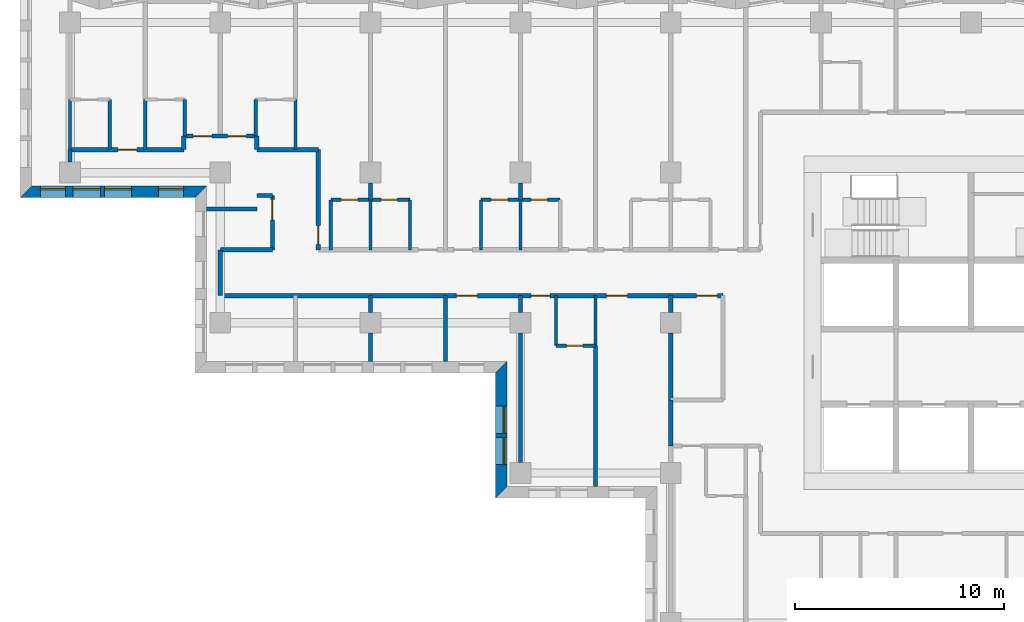
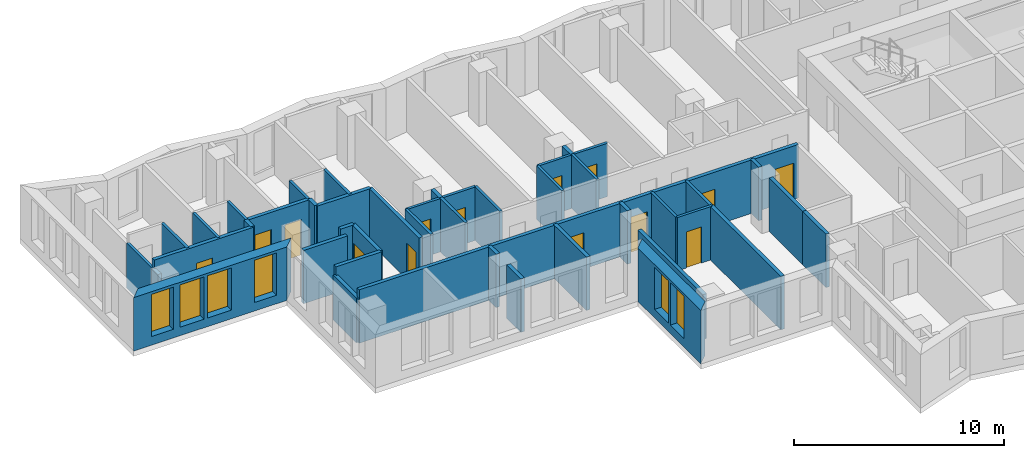
# One storey, part 4 of 13: 42 walls, 14 doors, 6 windows, 20 openings.
"""IFC4 building model written with IfcOpenShell, lengths in metres."""

import ifcopenshell
import ifcopenshell.guid

model = None  # the IFC model being written
_history = None  # IfcOwnerHistory: only IFC2X3 demands one
_inside = {}  # id of a spatial element -> (the spatial element, [elements in it])
_under = {}  # id of a project, library or spatial element -> (it, [spatial elements below it])
_declared = {}  # id of a project -> (the project, [libraries it declares])
_typed = {}  # id of a type object -> (the type object, [elements of that type])
_made_of = {}  # id of a material, layer set ... -> (it, [elements and type objects made of it])


def new_model(schema):
    """Start an empty IFC model of exactly this schema.

    Asked for "IFC4X3", IfcOpenShell would pick the latest addendum, in which some entities
    have other attributes; the version numbers below select the first issue.
    IFC2X3 requires an IfcOwnerHistory on every rooted entity: one is made here for all.
    """
    global model, _history
    if schema == "IFC4X3":
        model = ifcopenshell.file(schema_version=(4, 3, 0, 0))
    else:
        model = ifcopenshell.file(schema=schema)
    _inside.clear()
    _under.clear()
    _declared.clear()
    _typed.clear()
    _made_of.clear()
    _history = None
    if model.schema == "IFC2X3":
        org = make("IfcOrganization", Name="unknown")
        user = make(
            "IfcPersonAndOrganization",
            ThePerson=make("IfcPerson", FamilyName="unknown"),
            TheOrganization=org,
        )
        app = make(
            "IfcApplication",
            ApplicationDeveloper=org,
            Version="unknown",
            ApplicationFullName="unknown",
            ApplicationIdentifier="unknown",
        )
        _history = make(
            "IfcOwnerHistory",
            OwningUser=user,
            OwningApplication=app,
            ChangeAction="ADDED",
            CreationDate=0,
        )
    return model


def make(cls, **values):
    """One entity of the class cls with the attributes given. An attribute that is None is left unset."""
    return model.create_entity(
        cls, **{name: value for name, value in values.items() if value is not None}
    )


def rooted(cls, **values):
    """An entity with a GlobalId (a new one), such as an element, a storey or a relation."""
    return make(cls, GlobalId=ifcopenshell.guid.new(), OwnerHistory=_history, **values)


def si_unit(unit_type, name, prefix=None):
    """IfcSIUnit, for example si_unit("LENGTHUNIT", "METRE", prefix="MILLI")."""
    return make("IfcSIUnit", UnitType=unit_type, Prefix=prefix, Name=name)


def assignment(units):
    """IfcUnitAssignment: the units of a project."""
    return None if units is None else make("IfcUnitAssignment", Units=units)


def point(xyz):
    """IfcCartesianPoint."""
    return None if xyz is None else make("IfcCartesianPoint", Coordinates=xyz)


def direction(xyz):
    """IfcDirection."""
    return None if xyz is None else make("IfcDirection", DirectionRatios=xyz)


def frame(location, z_axis=None, x_axis=None):
    """IfcAxis2Placement3D, a coordinate frame: its origin and axes. An axis left out is left unset."""
    return make(
        "IfcAxis2Placement3D",
        Location=point(location),
        Axis=direction(z_axis),
        RefDirection=direction(x_axis),
    )


def frame_2d(location, x_axis=None):
    """IfcAxis2Placement2D, a coordinate frame in the plane: its origin and x axis."""
    return make(
        "IfcAxis2Placement2D", Location=point(location), RefDirection=direction(x_axis)
    )


def origin():
    """The frame at (0, 0, 0) with its axes left unset."""
    return frame((0.0, 0.0, 0.0))


def place(relative_to, where):
    """IfcLocalPlacement: puts the frame where relative to a parent placement (None: the world)."""
    return make(
        "IfcLocalPlacement", PlacementRelTo=relative_to, RelativePlacement=where
    )


def context(
    kind, dimensions, precision=None, world=None, true_north=None, identifier=None
):
    """IfcGeometricRepresentationContext, for example the 3D "Model" context."""
    return make(
        "IfcGeometricRepresentationContext",
        ContextIdentifier=identifier,
        ContextType=kind,
        CoordinateSpaceDimension=dimensions,
        Precision=precision,
        WorldCoordinateSystem=world,
        TrueNorth=true_north,
    )


def subcontext(parent, identifier, kind, view, scale=None):
    """IfcGeometricRepresentationSubContext, for example "Body" below "Model"."""
    return make(
        "IfcGeometricRepresentationSubContext",
        ContextIdentifier=identifier,
        ContextType=kind,
        ParentContext=parent,
        TargetScale=scale,
        TargetView=view,
    )


def project(units=None, contexts=None):
    """IfcProject with its units and contexts."""
    return rooted(
        "IfcProject",
        Name="project",
        RepresentationContexts=contexts,
        UnitsInContext=assignment(units),
    )


def spatial(cls, under=None, at=None, **own):
    """A site, building, storey or space (cls), placed at a placement, below another one or the project."""
    s = rooted(cls, ObjectPlacement=at, **own)
    if under is not None:
        _under.setdefault(under.id(), (under, []))[1].append(s)
    return s


def polyline(points):
    """IfcPolyline through the points."""
    return make("IfcPolyline", Points=[point(p) for p in points])


def profile(cls, at=None, kind="AREA", **sizes):
    """A parametric profile (cls). Its sizes go by their IFC names, for example OverallWidth=200.0."""
    return make(cls, ProfileType=kind, Position=at, **sizes)


def rectangle(**sizes):
    """IfcRectangleProfileDef."""
    return profile("IfcRectangleProfileDef", **sizes)


def outline(outer, holes=None, kind="AREA"):
    """IfcArbitraryClosedProfileDef: a profile drawn as a closed curve; with holes, ...WithVoids."""
    if holes is None:
        return make("IfcArbitraryClosedProfileDef", ProfileType=kind, OuterCurve=outer)
    return make(
        "IfcArbitraryProfileDefWithVoids",
        ProfileType=kind,
        OuterCurve=outer,
        InnerCurves=holes,
    )


def extrude(swept, where, along, depth):
    """IfcExtrudedAreaSolid: the profile swept, set in the frame where, extruded along a direction by depth."""
    return make(
        "IfcExtrudedAreaSolid",
        SweptArea=swept,
        Position=where,
        ExtrudedDirection=direction(along),
        Depth=depth,
    )


def shape(context_of_items, identifier, shape_type, items):
    """IfcShapeRepresentation: the items that make up one representation, for example the "Body"."""
    return make(
        "IfcShapeRepresentation",
        ContextOfItems=context_of_items,
        RepresentationIdentifier=identifier,
        RepresentationType=shape_type,
        Items=items,
    )


def material(Name=None, Category=None):
    """IfcMaterial."""
    return make("IfcMaterial", Name=Name, Category=Category)


def layer(
    of_material, thickness, ventilated=None, Name=None, Category=None, Priority=None
):
    """IfcMaterialLayer: one layer of a wall or slab, of a material (None: an air gap)."""
    return make(
        "IfcMaterialLayer",
        Material=of_material,
        LayerThickness=thickness,
        IsVentilated=ventilated,
        Name=Name,
        Category=Category,
        Priority=Priority,
    )


def layer_set(layers, Name=None):
    """IfcMaterialLayerSet."""
    return make("IfcMaterialLayerSet", MaterialLayers=layers, LayerSetName=Name)


def made_of(thing, what):
    """Note that an element or type object is made of a material, layer set ...; save() writes the relation."""
    if what is not None:
        _made_of.setdefault(what.id(), (what, []))[1].append(thing)
    return thing


def type_object(cls, material=None, **own):
    """A type object (cls), such as IfcWallType, which elements share."""
    return made_of(rooted(cls, **own), material)


def element(
    cls,
    number,
    at=None,
    inside=None,
    cuts=None,
    type_object=None,
    material=None,
    context=None,
    identifier="Body",
    shape_type=None,
    held_by="IfcProductDefinitionShape",
    body=None,
    shapes=None,
    **own,
):
    """One element of the class cls, such as IfcWall. Its Tag is "e" and its number.

    at: its placement. inside: the storey or other place that contains it. cuts: it is an
    opening in that element (IfcRelVoidsElement). A single representation is given by context,
    identifier, shape_type and body (its items); several are given by shapes. held_by: the class
    of the entity that holds the representations. save() writes the other relations.
    """
    e = rooted(cls, Tag="e%d" % number, ObjectPlacement=at, **own)
    if body is not None:
        shapes = [shape(context, identifier, shape_type, body)]
    if shapes is not None:
        e.Representation = make(held_by, Representations=shapes)
    if inside is not None:
        _inside.setdefault(inside.id(), (inside, []))[1].append(e)
    if cuts is not None:
        rooted(
            "IfcRelVoidsElement", RelatingBuildingElement=cuts, RelatedOpeningElement=e
        )
    if type_object is not None:
        _typed.setdefault(type_object.id(), (type_object, []))[1].append(e)
    return made_of(e, material)


def fill(opening, filler):
    """IfcRelFillsElement: the door or window that sits in an opening."""
    return rooted(
        "IfcRelFillsElement",
        RelatingOpeningElement=opening,
        RelatedBuildingElement=filler,
    )


def aggregate(whole, parts):
    """IfcRelAggregates: a whole, such as a stair, and the parts it consists of."""
    return rooted("IfcRelAggregates", RelatingObject=whole, RelatedObjects=parts)


def save(model, path):
    """Write the relations noted so far, then the file.

    IfcRelAggregates (storeys below a building ...), IfcRelContainedInSpatialStructure (elements
    in a storey), IfcRelDefinesByType, IfcRelAssociatesMaterial and IfcRelDeclares: one each for
    every whole, place, type object, material and project.
    """
    for whole, parts in _under.values():
        aggregate(whole, parts)
    for where, things in _inside.values():
        rooted(
            "IfcRelContainedInSpatialStructure",
            RelatedElements=things,
            RelatingStructure=where,
        )
    for kind, things in _typed.values():
        rooted("IfcRelDefinesByType", RelatedObjects=things, RelatingType=kind)
    for what, things in _made_of.values():
        rooted("IfcRelAssociatesMaterial", RelatedObjects=things, RelatingMaterial=what)
    for by, libraries in _declared.values():
        rooted("IfcRelDeclares", RelatingContext=by, RelatedDefinitions=libraries)
    model.write(path)


model = new_model("IFC4")

# Units and contexts
model_context = context("Model", 3, precision=1e-05, world=origin(), true_north=direction((0.0, 1.0)))
body_context = subcontext(model_context, "Body", "Model", "MODEL_VIEW")
ifc_project = project(units=[si_unit("LENGTHUNIT", "METRE"), si_unit("AREAUNIT", "SQUARE_METRE"), si_unit("VOLUMEUNIT", "CUBIC_METRE"), si_unit("PLANEANGLEUNIT", "RADIAN"), si_unit("MASSUNIT", "GRAM", prefix="KILO")], contexts=[model_context])

# Site, building, storey
site_placement = place(None, origin())
site = spatial("IfcSite", under=ifc_project, at=site_placement, CompositionType="ELEMENT")
building_placement = place(site_placement, origin())
building = spatial("IfcBuilding", under=site, at=building_placement, Name="Windrow Commons", CompositionType="ELEMENT")
storey_placement = place(building_placement, frame((0.0, 0.0, 115.2)))
storey = spatial("IfcBuildingStorey", under=building, at=storey_placement, Name="L31", CompositionType="ELEMENT", Elevation=115.2)

# Wall, openings, windows
ifc_material_1 = material(Name="Brick masonry, red clay brick", Category="masonry")
ifc_layer_1 = layer(ifc_material_1, 0.55)
ifc_layer_set_1 = layer_set([ifc_layer_1], Name="Brick facade wall 550")
wall_type_1 = type_object("IfcWallType", Name="Brick facade wall 550", PredefinedType="SOLIDWALL", material=ifc_layer_set_1)
wall_1_placement = place(storey_placement, frame((19.472, 63.875, 0.0), z_axis=(0.0, 0.0, 1.0), x_axis=(1.0, 0.0, 0.0)))
wall_1 = element("IfcWall", 1, at=wall_1_placement, inside=storey, type_object=wall_type_1, Name="Brick facade wall L31 38", PredefinedType="SOLIDWALL", context=body_context, shape_type="SweptSolid", body=[
    extrude(outline(polyline([(-0.275, -0.275), (8.128, -0.275), (8.678, 0.275), (0.275, 0.275), (-0.275, -0.275)])), origin(), (0.0, 0.0, 1.0), 3.1),
])
opening_1_placement = place(wall_1_placement, frame((2.278, 0.0, 0.5)))
opening_1 = element("IfcOpeningElement", 2, at=opening_1_placement, cuts=wall_1, Name="Opening W1P", PredefinedType="OPENING", context=body_context, shape_type="SweptSolid", body=[
    extrude(rectangle(XDim=1.3, YDim=2.45, at=frame_2d((0.65, 1.225))), frame((0.0, 0.285, 0.0), z_axis=(0.0, -1.0, 0.0), x_axis=(1.0, 0.0, 0.0)), (0.0, 0.0, 1.0), 0.57),
])
opening_2_placement = place(wall_1_placement, frame((3.778, 0.0, 0.5)))
opening_2 = element("IfcOpeningElement", 3, at=opening_2_placement, cuts=wall_1, Name="Opening W1P", PredefinedType="OPENING", context=body_context, shape_type="SweptSolid", body=[
    extrude(rectangle(XDim=1.3, YDim=2.45, at=frame_2d((0.65, 1.225))), frame((0.0, 0.285, 0.0), z_axis=(0.0, -1.0, 0.0), x_axis=(1.0, 0.0, 0.0)), (0.0, 0.0, 1.0), 0.57),
])
opening_3_placement = place(wall_1_placement, frame((0.7015, 0.0, 0.5)))
opening_3 = element("IfcOpeningElement", 4, at=opening_3_placement, cuts=wall_1, Name="Opening W7D", PredefinedType="OPENING", context=body_context, shape_type="SweptSolid", body=[
    extrude(rectangle(XDim=1.2, YDim=2.45, at=frame_2d((0.6, 1.225))), frame((0.0, 0.285, 0.0), z_axis=(0.0, -1.0, 0.0), x_axis=(1.0, 0.0, 0.0)), (0.0, 0.0, 1.0), 0.57),
])
opening_4_placement = place(wall_1_placement, frame((6.3655, 0.0, 0.5)))
opening_4 = element("IfcOpeningElement", 5, at=opening_4_placement, cuts=wall_1, Name="Opening W7D", PredefinedType="OPENING", context=body_context, shape_type="SweptSolid", body=[
    extrude(rectangle(XDim=1.2, YDim=2.45, at=frame_2d((0.6, 1.225))), frame((0.0, 0.285, 0.0), z_axis=(0.0, -1.0, 0.0), x_axis=(1.0, 0.0, 0.0)), (0.0, 0.0, 1.0), 0.57),
])
ifc_material_2 = material(Name="Clear float glass in anodised aluminium frame", Category="aluminium")
window_type_1 = type_object("IfcWindowType", Name="Window W1P pair 1300x2450", PartitioningType="SINGLE_PANEL", PredefinedType="WINDOW", material=ifc_material_2)
window_1_placement = place(opening_1_placement, origin())
window_1 = element("IfcWindow", 6, at=window_1_placement, inside=storey, type_object=window_type_1, Name="Window L31 38.1A", OverallHeight=2.45, OverallWidth=1.3, PartitioningType="SINGLE_PANEL", PredefinedType="WINDOW", context=body_context, shape_type="SweptSolid", body=[
    extrude(rectangle(XDim=1.3, YDim=2.45, at=frame_2d((0.65, 1.225))), frame((0.0, 0.155, 0.0), z_axis=(0.0, -1.0, 0.0), x_axis=(1.0, 0.0, 0.0)), (0.0, 0.0, 1.0), 0.06),
])
fill(opening_1, window_1)
window_2_placement = place(opening_2_placement, origin())
window_2 = element("IfcWindow", 7, at=window_2_placement, inside=storey, type_object=window_type_1, Name="Window L31 38.1B", OverallHeight=2.45, OverallWidth=1.3, PartitioningType="SINGLE_PANEL", PredefinedType="WINDOW", context=body_context, shape_type="SweptSolid", body=[
    extrude(rectangle(XDim=1.3, YDim=2.45, at=frame_2d((0.65, 1.225))), frame((0.0, 0.155, 0.0), z_axis=(0.0, -1.0, 0.0), x_axis=(1.0, 0.0, 0.0)), (0.0, 0.0, 1.0), 0.06),
])
fill(opening_2, window_2)
ifc_material_3 = material(Name="Clear float glass in anodised aluminium frame", Category="aluminium")
window_type_2 = type_object("IfcWindowType", Name="Window W7 notch 1200x2450", PartitioningType="SINGLE_PANEL", PredefinedType="WINDOW", material=ifc_material_3)
window_3_placement = place(opening_3_placement, origin())
window_3 = element("IfcWindow", 8, at=window_3_placement, inside=storey, type_object=window_type_2, Name="Window L31 38.2", OverallHeight=2.45, OverallWidth=1.2, PartitioningType="SINGLE_PANEL", PredefinedType="WINDOW", context=body_context, shape_type="SweptSolid", body=[
    extrude(rectangle(XDim=1.2, YDim=2.45, at=frame_2d((0.6, 1.225))), frame((0.0, 0.155, 0.0), z_axis=(0.0, -1.0, 0.0), x_axis=(1.0, 0.0, 0.0)), (0.0, 0.0, 1.0), 0.06),
])
fill(opening_3, window_3)
window_4_placement = place(opening_4_placement, origin())
window_4 = element("IfcWindow", 9, at=window_4_placement, inside=storey, type_object=window_type_2, Name="Window L31 38.3", OverallHeight=2.45, OverallWidth=1.2, PartitioningType="SINGLE_PANEL", PredefinedType="WINDOW", context=body_context, shape_type="SweptSolid", body=[
    extrude(rectangle(XDim=1.2, YDim=2.45, at=frame_2d((0.6, 1.225))), frame((0.0, 0.155, 0.0), z_axis=(0.0, -1.0, 0.0), x_axis=(1.0, 0.0, 0.0)), (0.0, 0.0, 1.0), 0.06),
])
fill(opening_4, window_4)

wall_2_placement = place(storey_placement, frame((42.275, 55.472, 0.0), z_axis=(0.0, 0.0, 1.0), x_axis=(0.0, -1.0, 0.0)))
wall_2 = element("IfcWall", 10, at=wall_2_placement, inside=storey, type_object=wall_type_1, Name="Brick facade wall L31 41", PredefinedType="SOLIDWALL", context=body_context, shape_type="SweptSolid", body=[
    extrude(outline(polyline([(0.275, -0.275), (6.272, -0.275), (5.722, 0.275), (-0.275, 0.275), (0.275, -0.275)])), origin(), (0.0, 0.0, 1.0), 3.1),
])
opening_5_placement = place(wall_2_placement, frame((1.872, 0.0, 0.5)))
opening_5 = element("IfcOpeningElement", 11, at=opening_5_placement, cuts=wall_2, Name="Opening W1P", PredefinedType="OPENING", context=body_context, shape_type="SweptSolid", body=[
    extrude(rectangle(XDim=1.3, YDim=2.45, at=frame_2d((0.65, 1.225))), frame((0.0, 0.285, 0.0), z_axis=(0.0, -1.0, 0.0), x_axis=(1.0, 0.0, 0.0)), (0.0, 0.0, 1.0), 0.57),
])
opening_6_placement = place(wall_2_placement, frame((3.372, 0.0, 0.5)))
opening_6 = element("IfcOpeningElement", 12, at=opening_6_placement, cuts=wall_2, Name="Opening W1P", PredefinedType="OPENING", context=body_context, shape_type="SweptSolid", body=[
    extrude(rectangle(XDim=1.3, YDim=2.45, at=frame_2d((0.65, 1.225))), frame((0.0, 0.285, 0.0), z_axis=(0.0, -1.0, 0.0), x_axis=(1.0, 0.0, 0.0)), (0.0, 0.0, 1.0), 0.57),
])
window_5_placement = place(opening_5_placement, origin())
window_5 = element("IfcWindow", 13, at=window_5_placement, inside=storey, type_object=window_type_1, Name="Window L31 41.1A", OverallHeight=2.45, OverallWidth=1.3, PartitioningType="SINGLE_PANEL", PredefinedType="WINDOW", context=body_context, shape_type="SweptSolid", body=[
    extrude(rectangle(XDim=1.3, YDim=2.45, at=frame_2d((0.65, 1.225))), frame((0.0, 0.155, 0.0), z_axis=(0.0, -1.0, 0.0), x_axis=(1.0, 0.0, 0.0)), (0.0, 0.0, 1.0), 0.06),
])
fill(opening_5, window_5)
window_6_placement = place(opening_6_placement, origin())
window_6 = element("IfcWindow", 14, at=window_6_placement, inside=storey, type_object=window_type_1, Name="Window L31 41.1B", OverallHeight=2.45, OverallWidth=1.3, PartitioningType="SINGLE_PANEL", PredefinedType="WINDOW", context=body_context, shape_type="SweptSolid", body=[
    extrude(rectangle(XDim=1.3, YDim=2.45, at=frame_2d((0.65, 1.225))), frame((0.0, 0.155, 0.0), z_axis=(0.0, -1.0, 0.0), x_axis=(1.0, 0.0, 0.0)), (0.0, 0.0, 1.0), 0.06),
])
fill(opening_6, window_6)

# Wall, openings, doors
ifc_material_4 = material(Name="Blockwork partition", Category="masonry")
ifc_layer_2 = layer(ifc_material_4, 0.2)
ifc_layer_set_2 = layer_set([ifc_layer_2], Name="IW-CORRIDOR-200")
wall_type_2 = type_object("IfcWallType", Name="IW-CORRIDOR-200", PredefinedType="PARTITIONING", material=ifc_layer_set_2)
wall_3_placement = place(storey_placement, frame((28.802, 58.9, 0.0), z_axis=(0.0, 0.0, 1.0), x_axis=(1.0, 0.0, 0.0)))
wall_3 = element("IfcWall", 15, at=wall_3_placement, inside=storey, type_object=wall_type_2, Name="W-L31-W000", PredefinedType="PARTITIONING", context=body_context, shape_type="SweptSolid", body=[
    extrude(rectangle(XDim=24.098, YDim=0.2, at=frame_2d((12.049, 0.0))), origin(), (0.0, 0.0, 1.0), 3.1),
])
opening_7_placement = place(wall_3_placement, frame((11.323, 0.0, 0.0)))
opening_7 = element("IfcOpeningElement", 16, at=opening_7_placement, cuts=wall_3, Name="Opening D310F", PredefinedType="OPENING", context=body_context, shape_type="SweptSolid", body=[
    extrude(rectangle(XDim=1.0, YDim=2.1, at=frame_2d((0.5, 1.05))), frame((0.0, 0.11, 0.0), z_axis=(0.0, -1.0, 0.0), x_axis=(1.0, 0.0, 0.0)), (0.0, 0.0, 1.0), 0.22),
])
opening_8_placement = place(wall_3_placement, frame((14.908, 0.0, 0.0)))
opening_8 = element("IfcOpeningElement", 17, at=opening_8_placement, cuts=wall_3, Name="Opening D109S", PredefinedType="OPENING", context=body_context, shape_type="SweptSolid", body=[
    extrude(rectangle(XDim=0.9, YDim=2.1, at=frame_2d((0.45, 1.05))), frame((0.0, 0.11, 0.0), z_axis=(0.0, -1.0, 0.0), x_axis=(1.0, 0.0, 0.0)), (0.0, 0.0, 1.0), 0.22),
])
opening_9_placement = place(wall_3_placement, frame((18.523, 0.0, 0.0)))
opening_9 = element("IfcOpeningElement", 18, at=opening_9_placement, cuts=wall_3, Name="Opening D310F", PredefinedType="OPENING", context=body_context, shape_type="SweptSolid", body=[
    extrude(rectangle(XDim=1.0, YDim=2.1, at=frame_2d((0.5, 1.05))), frame((0.0, 0.11, 0.0), z_axis=(0.0, -1.0, 0.0), x_axis=(1.0, 0.0, 0.0)), (0.0, 0.0, 1.0), 0.22),
])
opening_10_placement = place(wall_3_placement, frame((22.8451, 0.0, 0.0)))
opening_10 = element("IfcOpeningElement", 19, at=opening_10_placement, cuts=wall_3, Name="Opening D410F", PredefinedType="OPENING", context=body_context, shape_type="SweptSolid", body=[
    extrude(rectangle(XDim=1.0, YDim=2.1, at=frame_2d((0.5, 1.05))), frame((0.0, 0.11, 0.0), z_axis=(0.0, -1.0, 0.0), x_axis=(1.0, 0.0, 0.0)), (0.0, 0.0, 1.0), 0.22),
])
ifc_material_5 = material(Name="Timber door leaf", Category="wood")
door_type_1 = type_object("IfcDoorType", Name="DT-AMENITY-1000", OperationType="SINGLE_SWING_LEFT", PredefinedType="DOOR", material=ifc_material_5)
door_1_placement = place(opening_7_placement, origin())
door_1 = element("IfcDoor", 20, at=door_1_placement, inside=storey, type_object=door_type_1, Name="D-L31-D003", OperationType="SINGLE_SWING_RIGHT", OverallHeight=2.1, OverallWidth=1.0, PredefinedType="DOOR", context=body_context, shape_type="SweptSolid", body=[
    extrude(rectangle(XDim=1.0, YDim=2.1, at=frame_2d((0.5, 1.05))), frame((0.0, 0.025, 0.0), z_axis=(0.0, -1.0, 0.0), x_axis=(1.0, 0.0, 0.0)), (0.0, 0.0, 1.0), 0.05),
])
fill(opening_7, door_1)
door_2_placement = place(opening_9_placement, origin())
door_2 = element("IfcDoor", 21, at=door_2_placement, inside=storey, type_object=door_type_1, Name="D-L31-D006", OperationType="SINGLE_SWING_RIGHT", OverallHeight=2.1, OverallWidth=1.0, PredefinedType="DOOR", context=body_context, shape_type="SweptSolid", body=[
    extrude(rectangle(XDim=1.0, YDim=2.1, at=frame_2d((0.5, 1.05))), frame((0.0, 0.025, 0.0), z_axis=(0.0, -1.0, 0.0), x_axis=(1.0, 0.0, 0.0)), (0.0, 0.0, 1.0), 0.05),
])
fill(opening_9, door_2)
ifc_material_6 = material(Name="Timber door leaf", Category="wood")
door_type_2 = type_object("IfcDoorType", Name="DT-BEDROOM-900", OperationType="SINGLE_SWING_LEFT", PredefinedType="DOOR", material=ifc_material_6)
door_3_placement = place(opening_8_placement, origin())
door_3 = element("IfcDoor", 22, at=door_3_placement, inside=storey, type_object=door_type_2, Name="D-L31-D004", OperationType="SINGLE_SWING_LEFT", OverallHeight=2.1, OverallWidth=0.9, PredefinedType="DOOR", context=body_context, shape_type="SweptSolid", body=[
    extrude(rectangle(XDim=0.9, YDim=2.1, at=frame_2d((0.45, 1.05))), frame((0.0, 0.025, 0.0), z_axis=(0.0, -1.0, 0.0), x_axis=(1.0, 0.0, 0.0)), (0.0, 0.0, 1.0), 0.05),
])
fill(opening_8, door_3)
ifc_material_7 = material(Name="Timber door leaf", Category="wood")
door_type_3 = type_object("IfcDoorType", Name="DT-SERVICE-1000", OperationType="SINGLE_SWING_LEFT", PredefinedType="DOOR", material=ifc_material_7)
door_4_placement = place(opening_10_placement, origin())
door_4 = element("IfcDoor", 23, at=door_4_placement, inside=storey, type_object=door_type_3, Name="D-L31-D010", OperationType="SINGLE_SWING_LEFT", OverallHeight=2.1, OverallWidth=1.0, PredefinedType="DOOR", context=body_context, shape_type="SweptSolid", body=[
    extrude(rectangle(XDim=1.0, YDim=2.1, at=frame_2d((0.5, 1.05))), frame((0.0, 0.025, 0.0), z_axis=(0.0, -1.0, 0.0), x_axis=(1.0, 0.0, 0.0)), (0.0, 0.0, 1.0), 0.05),
])
fill(opening_10, door_4)

# Wall, opening, door
wall_4_placement = place(storey_placement, frame((21.6, 65.9, 0.0), z_axis=(0.0, 0.0, 1.0), x_axis=(1.0, 0.0, 0.0)))
wall_4 = element("IfcWall", 24, at=wall_4_placement, inside=storey, type_object=wall_type_2, Name="W-L31-W037", PredefinedType="PARTITIONING", context=body_context, shape_type="SweptSolid", body=[
    extrude(rectangle(XDim=5.45, YDim=0.2, at=frame_2d((2.725, 0.0))), origin(), (0.0, 0.0, 1.0), 3.1),
])
opening_11_placement = place(wall_4_placement, frame((2.3, 0.0, 0.0)))
opening_11 = element("IfcOpeningElement", 25, at=opening_11_placement, cuts=wall_4, Name="Opening D109S", PredefinedType="OPENING", context=body_context, shape_type="SweptSolid", body=[
    extrude(rectangle(XDim=0.9, YDim=2.1, at=frame_2d((0.45, 1.05))), frame((0.0, 0.11, 0.0), z_axis=(0.0, -1.0, 0.0), x_axis=(1.0, 0.0, 0.0)), (0.0, 0.0, 1.0), 0.22),
])
door_5_placement = place(opening_11_placement, origin())
door_5 = element("IfcDoor", 26, at=door_5_placement, inside=storey, type_object=door_type_2, Name="D-L31-D019", OperationType="SINGLE_SWING_RIGHT", OverallHeight=2.1, OverallWidth=0.9, PredefinedType="DOOR", context=body_context, shape_type="SweptSolid", body=[
    extrude(rectangle(XDim=0.9, YDim=2.1, at=frame_2d((0.45, 1.05))), frame((0.0, 0.025, 0.0), z_axis=(0.0, -1.0, 0.0), x_axis=(1.0, 0.0, 0.0)), (0.0, 0.0, 1.0), 0.05),
])
fill(opening_11, door_5)

wall_5_placement = place(storey_placement, frame((33.5, 61.102, 0.0), z_axis=(0.0, 0.0, 1.0), x_axis=(0.0, 1.0, 0.0)))
wall_5 = element("IfcWall", 27, at=wall_5_placement, inside=storey, type_object=wall_type_2, Name="W-L31-W045", PredefinedType="PARTITIONING", context=body_context, shape_type="SweptSolid", body=[
    extrude(rectangle(XDim=4.798, YDim=0.2, at=frame_2d((2.399, 0.0))), origin(), (0.0, 0.0, 1.0), 3.1),
])
opening_12_placement = place(wall_5_placement, frame((0.253, 0.0, 0.0)))
opening_12 = element("IfcOpeningElement", 28, at=opening_12_placement, cuts=wall_5, Name="Opening D109S", PredefinedType="OPENING", context=body_context, shape_type="SweptSolid", body=[
    extrude(rectangle(XDim=0.9, YDim=2.1, at=frame_2d((0.45, 1.05))), frame((0.0, 0.11, 0.0), z_axis=(0.0, -1.0, 0.0), x_axis=(1.0, 0.0, 0.0)), (0.0, 0.0, 1.0), 0.22),
])
door_6_placement = place(opening_12_placement, origin())
door_6 = element("IfcDoor", 29, at=door_6_placement, inside=storey, type_object=door_type_2, Name="D-L31-D025", OperationType="SINGLE_SWING_LEFT", OverallHeight=2.1, OverallWidth=0.9, PredefinedType="DOOR", context=body_context, shape_type="SweptSolid", body=[
    extrude(rectangle(XDim=0.9, YDim=2.1, at=frame_2d((0.45, 1.05))), frame((0.0, 0.025, 0.0), z_axis=(0.0, -1.0, 0.0), x_axis=(1.0, 0.0, 0.0)), (0.0, 0.0, 1.0), 0.05),
])
fill(opening_12, door_6)

# Wall, openings, doors
wall_6_placement = place(storey_placement, frame((27.1, 66.55, 0.0), z_axis=(0.0, 0.0, 1.0), x_axis=(1.0, 0.0, 0.0)))
wall_6 = element("IfcWall", 30, at=wall_6_placement, inside=storey, type_object=wall_type_2, Name="W-L31-W057", PredefinedType="PARTITIONING", context=body_context, shape_type="SweptSolid", body=[
    extrude(rectangle(XDim=3.4, YDim=0.2, at=frame_2d((1.7, 0.0))), origin(), (0.0, 0.0, 1.0), 3.1),
])
opening_13_placement = place(wall_6_placement, frame((0.4, 0.0, 0.0)))
opening_13 = element("IfcOpeningElement", 31, at=opening_13_placement, cuts=wall_6, Name="Opening D109S", PredefinedType="OPENING", context=body_context, shape_type="SweptSolid", body=[
    extrude(rectangle(XDim=0.9, YDim=2.1, at=frame_2d((0.45, 1.05))), frame((0.0, 0.11, 0.0), z_axis=(0.0, -1.0, 0.0), x_axis=(1.0, 0.0, 0.0)), (0.0, 0.0, 1.0), 0.22),
])
opening_14_placement = place(wall_6_placement, frame((2.05, 0.0, 0.0)))
opening_14 = element("IfcOpeningElement", 32, at=opening_14_placement, cuts=wall_6, Name="Opening D109S", PredefinedType="OPENING", context=body_context, shape_type="SweptSolid", body=[
    extrude(rectangle(XDim=0.9, YDim=2.1, at=frame_2d((0.45, 1.05))), frame((0.0, 0.11, 0.0), z_axis=(0.0, -1.0, 0.0), x_axis=(1.0, 0.0, 0.0)), (0.0, 0.0, 1.0), 0.22),
])
door_7_placement = place(opening_13_placement, origin())
door_7 = element("IfcDoor", 33, at=door_7_placement, inside=storey, type_object=door_type_2, Name="D-L31-D021", OperationType="SINGLE_SWING_LEFT", OverallHeight=2.1, OverallWidth=0.9, PredefinedType="DOOR", context=body_context, shape_type="SweptSolid", body=[
    extrude(rectangle(XDim=0.9, YDim=2.1, at=frame_2d((0.45, 1.05))), frame((0.0, 0.025, 0.0), z_axis=(0.0, -1.0, 0.0), x_axis=(1.0, 0.0, 0.0)), (0.0, 0.0, 1.0), 0.05),
])
fill(opening_13, door_7)
door_8_placement = place(opening_14_placement, origin())
door_8 = element("IfcDoor", 34, at=door_8_placement, inside=storey, type_object=door_type_2, Name="D-L31-D023", OperationType="SINGLE_SWING_RIGHT", OverallHeight=2.1, OverallWidth=0.9, PredefinedType="DOOR", context=body_context, shape_type="SweptSolid", body=[
    extrude(rectangle(XDim=0.9, YDim=2.1, at=frame_2d((0.45, 1.05))), frame((0.0, 0.025, 0.0), z_axis=(0.0, -1.0, 0.0), x_axis=(1.0, 0.0, 0.0)), (0.0, 0.0, 1.0), 0.05),
])
fill(opening_14, door_8)

# Wall
wall_7_placement = place(storey_placement, frame((30.552, 65.9, 0.0), z_axis=(0.0, 0.0, 1.0), x_axis=(1.0, 0.0, 0.0)))
element("IfcWall", 35, at=wall_7_placement, inside=storey, type_object=wall_type_2, Name="W-L31-W070", PredefinedType="PARTITIONING", context=body_context, shape_type="SweptSolid", body=[
    extrude(rectangle(XDim=2.948, YDim=0.2, at=frame_2d((1.474, 0.0))), origin(), (0.0, 0.0, 1.0), 3.1),
])

# Wall, opening, door
wall_8_placement = place(storey_placement, frame((31.3, 61.102, 0.0), z_axis=(0.0, 0.0, 1.0), x_axis=(0.0, 1.0, 0.0)))
wall_8 = element("IfcWall", 36, at=wall_8_placement, inside=storey, type_object=wall_type_2, Name="W-L31-W080", PredefinedType="PARTITIONING", context=body_context, shape_type="SweptSolid", body=[
    extrude(rectangle(XDim=2.596, YDim=0.2, at=frame_2d((1.298, 0.0))), origin(), (0.0, 0.0, 1.0), 3.1),
])
opening_15_placement = place(wall_8_placement, frame((1.4212, 0.0, 0.0)))
opening_15 = element("IfcOpeningElement", 37, at=opening_15_placement, cuts=wall_8, Name="Opening D310F", PredefinedType="OPENING", context=body_context, shape_type="SweptSolid", body=[
    extrude(rectangle(XDim=1.0, YDim=2.1, at=frame_2d((0.5, 1.05))), frame((0.0, 0.11, 0.0), z_axis=(0.0, -1.0, 0.0), x_axis=(1.0, 0.0, 0.0)), (0.0, 0.0, 1.0), 0.22),
])
door_9_placement = place(opening_15_placement, origin())
door_9 = element("IfcDoor", 38, at=door_9_placement, inside=storey, type_object=door_type_1, Name="D-L31-D000", OperationType="SINGLE_SWING_LEFT", OverallHeight=2.1, OverallWidth=1.0, PredefinedType="DOOR", context=body_context, shape_type="SweptSolid", body=[
    extrude(rectangle(XDim=1.0, YDim=2.1, at=frame_2d((0.5, 1.05))), frame((0.0, 0.025, 0.0), z_axis=(0.0, -1.0, 0.0), x_axis=(1.0, 0.0, 0.0)), (0.0, 0.0, 1.0), 0.05),
])
fill(opening_15, door_9)

# Walls
wall_9_placement = place(storey_placement, frame((28.802, 61.1, 0.0), z_axis=(0.0, 0.0, 1.0), x_axis=(1.0, 0.0, 0.0)))
element("IfcWall", 39, at=wall_9_placement, inside=storey, type_object=wall_type_2, Name="W-L31-W082", PredefinedType="PARTITIONING", context=body_context, shape_type="SweptSolid", body=[
    extrude(rectangle(XDim=2.496, YDim=0.2, at=frame_2d((1.248, 0.0))), origin(), (0.0, 0.0, 1.0), 3.1),
])
wall_10_placement = place(storey_placement, frame((28.15, 63.05, 0.0), z_axis=(0.0, 0.0, 1.0), x_axis=(1.0, 0.0, 0.0)))
element("IfcWall", 40, at=wall_10_placement, inside=storey, type_object=wall_type_2, Name="W-L31-W125", PredefinedType="PARTITIONING", context=body_context, shape_type="SweptSolid", body=[
    extrude(rectangle(XDim=2.4, YDim=0.2, at=frame_2d((1.2, 0.0))), origin(), (0.0, 0.0, 1.0), 3.1),
])
wall_11_placement = place(storey_placement, frame((50.4, 51.7, 0.0), z_axis=(0.0, 0.0, 1.0), x_axis=(0.0, 1.0, 0.0)))
element("IfcWall", 41, at=wall_11_placement, inside=storey, type_object=wall_type_2, Name="W-L31-W129", PredefinedType="PARTITIONING", context=body_context, shape_type="SweptSolid", body=[
    extrude(rectangle(XDim=2.2, YDim=0.2, at=frame_2d((1.1, 0.0))), origin(), (0.0, 0.0, 1.0), 3.1),
])
wall_12_placement = place(storey_placement, frame((28.8, 58.902, 0.0), z_axis=(0.0, 0.0, 1.0), x_axis=(0.0, 1.0, 0.0)))
element("IfcWall", 42, at=wall_12_placement, inside=storey, type_object=wall_type_2, Name="W-L31-W130", PredefinedType="PARTITIONING", context=body_context, shape_type="SweptSolid", body=[
    extrude(rectangle(XDim=2.198, YDim=0.2, at=frame_2d((1.099, 0.0))), origin(), (0.0, 0.0, 1.0), 2.6),
])
wall_13_placement = place(storey_placement, frame((30.552, 63.7, 0.0), z_axis=(0.0, 0.0, 1.0), x_axis=(1.0, 0.0, 0.0)))
element("IfcWall", 43, at=wall_13_placement, inside=storey, type_object=wall_type_2, Name="W-L31-W180", PredefinedType="PARTITIONING", context=body_context, shape_type="SweptSolid", body=[
    extrude(rectangle(XDim=0.746, YDim=0.2, at=frame_2d((0.373, 0.0))), origin(), (0.0, 0.0, 1.0), 3.1),
])
for number, where, z_axis, x_axis, name in (
    (44, (27.05, 65.9, 0.0), (0.0, 0.0, 1.0), (0.0, 1.0, 0.0), "W-L31-W183"),
    (45, (30.55, 65.9, 0.0), (0.0, 0.0, 1.0), (0.0, 1.0, 0.0), "W-L31-W184"),
):
    element("IfcWall", number, at=place(storey_placement, frame(where, z_axis=z_axis, x_axis=x_axis)), inside=storey, type_object=wall_type_2, Name=name, PredefinedType="PARTITIONING", context=body_context, shape_type="SweptSolid", body=[
        extrude(rectangle(XDim=0.65, YDim=0.2, at=frame_2d((0.325, 0.0))), origin(), (0.0, 0.0, 1.0), 3.1),
    ])
wall_14_placement = place(storey_placement, frame((21.6, 65.3, 0.0), z_axis=(0.0, 0.0, 1.0), x_axis=(0.0, 1.0, 0.0)))
element("IfcWall", 46, at=wall_14_placement, inside=storey, type_object=wall_type_2, Name="W-L31-W187", PredefinedType="PARTITIONING", context=body_context, shape_type="SweptSolid", body=[
    extrude(rectangle(XDim=0.6, YDim=0.2, at=frame_2d((0.3, 0.0))), origin(), (0.0, 0.0, 1.0), 2.6),
])

# Wall, openings, doors
ifc_material_8 = material(Name="Blockwork partition", Category="masonry")
ifc_layer_3 = layer(ifc_material_8, 0.15)
ifc_layer_set_3 = layer_set([ifc_layer_3], Name="IW-ENSUITE-150")
wall_type_3 = type_object("IfcWallType", Name="IW-ENSUITE-150", PredefinedType="PARTITIONING", material=ifc_layer_set_3)
wall_15_placement = place(storey_placement, frame((41.3, 63.5, 0.0), z_axis=(0.0, 0.0, 1.0), x_axis=(1.0, 0.0, 0.0)))
wall_15 = element("IfcWall", 47, at=wall_15_placement, inside=storey, type_object=wall_type_3, Name="W-L31-W052", PredefinedType="PARTITIONING", context=body_context, shape_type="SweptSolid", body=[
    extrude(rectangle(XDim=3.8, YDim=0.15, at=frame_2d((1.9, 0.0))), origin(), (0.0, 0.0, 1.0), 3.1),
])
opening_16_placement = place(wall_15_placement, frame((0.4931, 0.0, 0.0)))
opening_16 = element("IfcOpeningElement", 48, at=opening_16_placement, cuts=wall_15, Name="Opening D208N", PredefinedType="OPENING", context=body_context, shape_type="SweptSolid", body=[
    extrude(rectangle(XDim=0.8, YDim=2.1, at=frame_2d((0.4, 1.05))), frame((0.0, 0.085, 0.0), z_axis=(0.0, -1.0, 0.0), x_axis=(1.0, 0.0, 0.0)), (0.0, 0.0, 1.0), 0.17),
])
opening_17_placement = place(wall_15_placement, frame((2.4021, 0.0, 0.0)))
opening_17 = element("IfcOpeningElement", 49, at=opening_17_placement, cuts=wall_15, Name="Opening D208N", PredefinedType="OPENING", context=body_context, shape_type="SweptSolid", body=[
    extrude(rectangle(XDim=0.8, YDim=2.1, at=frame_2d((0.4, 1.05))), frame((0.0, 0.085, 0.0), z_axis=(0.0, -1.0, 0.0), x_axis=(1.0, 0.0, 0.0)), (0.0, 0.0, 1.0), 0.17),
])
ifc_material_9 = material(Name="Timber door leaf", Category="wood")
door_type_4 = type_object("IfcDoorType", Name="DT-ENSUITE-800", OperationType="SINGLE_SWING_LEFT", PredefinedType="DOOR", material=ifc_material_9)
door_10_placement = place(opening_16_placement, origin())
door_10 = element("IfcDoor", 50, at=door_10_placement, inside=storey, type_object=door_type_4, Name="D-L31-D030", OperationType="SINGLE_SWING_RIGHT", OverallHeight=2.1, OverallWidth=0.8, PredefinedType="DOOR", context=body_context, shape_type="SweptSolid", body=[
    extrude(rectangle(XDim=0.8, YDim=2.1, at=frame_2d((0.4, 1.05))), frame((0.0, 0.025, 0.0), z_axis=(0.0, -1.0, 0.0), x_axis=(1.0, 0.0, 0.0)), (0.0, 0.0, 1.0), 0.05),
])
fill(opening_16, door_10)
door_11_placement = place(opening_17_placement, origin())
door_11 = element("IfcDoor", 51, at=door_11_placement, inside=storey, type_object=door_type_4, Name="D-L31-D032", OperationType="SINGLE_SWING_RIGHT", OverallHeight=2.1, OverallWidth=0.8, PredefinedType="DOOR", context=body_context, shape_type="SweptSolid", body=[
    extrude(rectangle(XDim=0.8, YDim=2.1, at=frame_2d((0.4, 1.05))), frame((0.0, 0.025, 0.0), z_axis=(0.0, -1.0, 0.0), x_axis=(1.0, 0.0, 0.0)), (0.0, 0.0, 1.0), 0.05),
])
fill(opening_17, door_11)

wall_16_placement = place(storey_placement, frame((34.1, 63.5, 0.0), z_axis=(0.0, 0.0, 1.0), x_axis=(1.0, 0.0, 0.0)))
wall_16 = element("IfcWall", 52, at=wall_16_placement, inside=storey, type_object=wall_type_3, Name="W-L31-W053", PredefinedType="PARTITIONING", context=body_context, shape_type="SweptSolid", body=[
    extrude(rectangle(XDim=3.8, YDim=0.15, at=frame_2d((1.9, 0.0))), origin(), (0.0, 0.0, 1.0), 3.1),
])
opening_18_placement = place(wall_16_placement, frame((0.4931, 0.0, 0.0)))
opening_18 = element("IfcOpeningElement", 53, at=opening_18_placement, cuts=wall_16, Name="Opening D208N", PredefinedType="OPENING", context=body_context, shape_type="SweptSolid", body=[
    extrude(rectangle(XDim=0.8, YDim=2.1, at=frame_2d((0.4, 1.05))), frame((0.0, 0.085, 0.0), z_axis=(0.0, -1.0, 0.0), x_axis=(1.0, 0.0, 0.0)), (0.0, 0.0, 1.0), 0.17),
])
opening_19_placement = place(wall_16_placement, frame((2.4021, 0.0, 0.0)))
opening_19 = element("IfcOpeningElement", 54, at=opening_19_placement, cuts=wall_16, Name="Opening D208N", PredefinedType="OPENING", context=body_context, shape_type="SweptSolid", body=[
    extrude(rectangle(XDim=0.8, YDim=2.1, at=frame_2d((0.4, 1.05))), frame((0.0, 0.085, 0.0), z_axis=(0.0, -1.0, 0.0), x_axis=(1.0, 0.0, 0.0)), (0.0, 0.0, 1.0), 0.17),
])
door_12_placement = place(opening_18_placement, origin())
door_12 = element("IfcDoor", 55, at=door_12_placement, inside=storey, type_object=door_type_4, Name="D-L31-D026", OperationType="SINGLE_SWING_RIGHT", OverallHeight=2.1, OverallWidth=0.8, PredefinedType="DOOR", context=body_context, shape_type="SweptSolid", body=[
    extrude(rectangle(XDim=0.8, YDim=2.1, at=frame_2d((0.4, 1.05))), frame((0.0, 0.025, 0.0), z_axis=(0.0, -1.0, 0.0), x_axis=(1.0, 0.0, 0.0)), (0.0, 0.0, 1.0), 0.05),
])
fill(opening_18, door_12)
door_13_placement = place(opening_19_placement, origin())
door_13 = element("IfcDoor", 56, at=door_13_placement, inside=storey, type_object=door_type_4, Name="D-L31-D028", OperationType="SINGLE_SWING_RIGHT", OverallHeight=2.1, OverallWidth=0.8, PredefinedType="DOOR", context=body_context, shape_type="SweptSolid", body=[
    extrude(rectangle(XDim=0.8, YDim=2.1, at=frame_2d((0.4, 1.05))), frame((0.0, 0.025, 0.0), z_axis=(0.0, -1.0, 0.0), x_axis=(1.0, 0.0, 0.0)), (0.0, 0.0, 1.0), 0.05),
])
fill(opening_19, door_13)

# Walls
for number, where, z_axis, x_axis, name in (
    (57, (34.1, 61.1, 0.0), (0.0, 0.0, 1.0), (0.0, 1.0, 0.0), "W-L31-W088"),
    (58, (36.0, 61.1, 0.0), (0.0, 0.0, 1.0), (0.0, 1.0, 0.0), "W-L31-W089"),
    (59, (37.9, 61.1, 0.0), (0.0, 0.0, 1.0), (0.0, 1.0, 0.0), "W-L31-W090"),
    (60, (41.3, 61.1, 0.0), (0.0, 0.0, 1.0), (0.0, 1.0, 0.0), "W-L31-W091"),
    (61, (43.2, 61.1, 0.0), (0.0, 0.0, 1.0), (0.0, 1.0, 0.0), "W-L31-W092"),
    (62, (44.9, 56.5, 0.0), (0.0, 0.0, 1.0), (0.0, 1.0, 0.0), "W-L31-W094"),
    (63, (46.8, 56.5, 0.0), (0.0, 0.0, 1.0), (0.0, 1.0, 0.0), "W-L31-W095"),
):
    element("IfcWall", number, at=place(storey_placement, frame(where, z_axis=z_axis, x_axis=x_axis)), inside=storey, type_object=wall_type_3, Name=name, PredefinedType="PARTITIONING", context=body_context, shape_type="SweptSolid", body=[
        extrude(rectangle(XDim=2.4, YDim=0.15, at=frame_2d((1.2, 0.0))), origin(), (0.0, 0.0, 1.0), 3.1),
    ])
wall_17_placement = place(storey_placement, frame((21.6, 65.9, 0.0), z_axis=(0.0, 0.0, 1.0), x_axis=(0.0, 1.0, 0.0)))
element("IfcWall", 64, at=wall_17_placement, inside=storey, type_object=wall_type_3, Name="W-L31-W105", PredefinedType="PARTITIONING", context=body_context, shape_type="SweptSolid", body=[
    extrude(rectangle(XDim=2.4, YDim=0.15, at=frame_2d((1.2, 0.0))), origin(), (0.0, 0.0, 1.0), 2.6),
])
for number, where, z_axis, x_axis, name in (
    (65, (23.5, 65.9, 0.0), (0.0, 0.0, 1.0), (0.0, 1.0, 0.0), "W-L31-W106"),
    (66, (25.2, 65.9, 0.0), (0.0, 0.0, 1.0), (0.0, 1.0, 0.0), "W-L31-W107"),
    (67, (32.4, 65.9, 0.0), (0.0, 0.0, 1.0), (0.0, 1.0, 0.0), "W-L31-W108"),
):
    element("IfcWall", number, at=place(storey_placement, frame(where, z_axis=z_axis, x_axis=x_axis)), inside=storey, type_object=wall_type_3, Name=name, PredefinedType="PARTITIONING", context=body_context, shape_type="SweptSolid", body=[
        extrude(rectangle(XDim=2.4, YDim=0.15, at=frame_2d((1.2, 0.0))), origin(), (0.0, 0.0, 1.0), 3.1),
    ])

# Wall, opening, door
wall_18_placement = place(storey_placement, frame((44.9, 56.5, 0.0), z_axis=(0.0, 0.0, 1.0), x_axis=(1.0, 0.0, 0.0)))
wall_18 = element("IfcWall", 68, at=wall_18_placement, inside=storey, type_object=wall_type_3, Name="W-L31-W146", PredefinedType="PARTITIONING", context=body_context, shape_type="SweptSolid", body=[
    extrude(rectangle(XDim=1.9, YDim=0.15, at=frame_2d((0.95, 0.0))), origin(), (0.0, 0.0, 1.0), 3.1),
])
opening_20_placement = place(wall_18_placement, frame((0.4931, 0.0, 0.0)))
opening_20 = element("IfcOpeningElement", 69, at=opening_20_placement, cuts=wall_18, Name="Opening D208N", PredefinedType="OPENING", context=body_context, shape_type="SweptSolid", body=[
    extrude(rectangle(XDim=0.8, YDim=2.1, at=frame_2d((0.4, 1.05))), frame((0.0, 0.085, 0.0), z_axis=(0.0, -1.0, 0.0), x_axis=(1.0, 0.0, 0.0)), (0.0, 0.0, 1.0), 0.17),
])
door_14_placement = place(opening_20_placement, origin())
door_14 = element("IfcDoor", 70, at=door_14_placement, inside=storey, type_object=door_type_4, Name="D-L31-D005", OperationType="SINGLE_SWING_RIGHT", OverallHeight=2.1, OverallWidth=0.8, PredefinedType="DOOR", context=body_context, shape_type="SweptSolid", body=[
    extrude(rectangle(XDim=0.8, YDim=2.1, at=frame_2d((0.4, 1.05))), frame((0.0, 0.025, 0.0), z_axis=(0.0, -1.0, 0.0), x_axis=(1.0, 0.0, 0.0)), (0.0, 0.0, 1.0), 0.05),
])
fill(opening_20, door_14)

# Walls
for number, where, z_axis, x_axis, name in (
    (71, (27.1, 66.55, 0.0), (0.0, 0.0, 1.0), (0.0, 1.0, 0.0), "W-L31-W157"),
    (72, (30.5, 66.55, 0.0), (0.0, 0.0, 1.0), (0.0, 1.0, 0.0), "W-L31-W158"),
):
    element("IfcWall", number, at=place(storey_placement, frame(where, z_axis=z_axis, x_axis=x_axis)), inside=storey, type_object=wall_type_3, Name=name, PredefinedType="PARTITIONING", context=body_context, shape_type="SweptSolid", body=[
        extrude(rectangle(XDim=1.75, YDim=0.15, at=frame_2d((0.875, 0.0))), origin(), (0.0, 0.0, 1.0), 3.1),
    ])
ifc_material_10 = material(Name="Blockwork partition", Category="masonry")
ifc_layer_4 = layer(ifc_material_10, 0.2)
ifc_layer_set_4 = layer_set([ifc_layer_4], Name="IW-PARTY-200")
wall_type_4 = type_object("IfcWallType", Name="IW-PARTY-200", PredefinedType="PARTITIONING", material=ifc_layer_set_4)
wall_19_placement = place(storey_placement, frame((46.8, 49.75, 0.0), z_axis=(0.0, 0.0, 1.0), x_axis=(0.0, 1.0, 0.0)))
element("IfcWall", 73, at=wall_19_placement, inside=storey, type_object=wall_type_4, Name="W-L31-W024", PredefinedType="PARTITIONING", context=body_context, shape_type="SweptSolid", body=[
    extrude(rectangle(XDim=6.75, YDim=0.2, at=frame_2d((3.375, 0.0))), origin(), (0.0, 0.0, 1.0), 3.1),
])
wall_20_placement = place(storey_placement, frame((43.2, 50.9, 0.0), z_axis=(0.0, 0.0, 1.0), x_axis=(0.0, 1.0, 0.0)))
element("IfcWall", 74, at=wall_20_placement, inside=storey, type_object=wall_type_4, Name="W-L31-W028", PredefinedType="PARTITIONING", context=body_context, shape_type="SweptSolid", body=[
    extrude(rectangle(XDim=6.2, YDim=0.2, at=frame_2d((3.1, 0.0))), origin(), (0.0, 0.0, 1.0), 2.6),
])
wall_21_placement = place(storey_placement, frame((50.4, 53.9, 0.0), z_axis=(0.0, 0.0, 1.0), x_axis=(0.0, 1.0, 0.0)))
element("IfcWall", 75, at=wall_21_placement, inside=storey, type_object=wall_type_4, Name="W-L31-W059", PredefinedType="PARTITIONING", context=body_context, shape_type="SweptSolid", body=[
    extrude(rectangle(XDim=3.2, YDim=0.2, at=frame_2d((1.6, 0.0))), origin(), (0.0, 0.0, 1.0), 3.1),
])
wall_22_placement = place(storey_placement, frame((39.6, 55.747, 0.0), z_axis=(0.0, 0.0, 1.0), x_axis=(0.0, 1.0, 0.0)))
element("IfcWall", 76, at=wall_22_placement, inside=storey, type_object=wall_type_4, Name="W-L31-W061", PredefinedType="PARTITIONING", context=body_context, shape_type="SweptSolid", body=[
    extrude(rectangle(XDim=3.153, YDim=0.2, at=frame_2d((1.5765, 0.0))), origin(), (0.0, 0.0, 1.0), 3.1),
])
wall_23_placement = place(storey_placement, frame((36.0, 55.747, 0.0), z_axis=(0.0, 0.0, 1.0), x_axis=(0.0, 1.0, 0.0)))
element("IfcWall", 77, at=wall_23_placement, inside=storey, type_object=wall_type_4, Name="W-L31-W163", PredefinedType="PARTITIONING", context=body_context, shape_type="SweptSolid", body=[
    extrude(rectangle(XDim=1.353, YDim=0.2, at=frame_2d((0.6765, 0.0))), origin(), (0.0, 0.0, 1.0), 3.1),
])
for number, where, z_axis, x_axis, name in (
    (78, (36.0, 58.1, 0.0), (0.0, 0.0, 1.0), (0.0, 1.0, 0.0), "W-L31-W173"),
    (79, (36.0, 63.5, 0.0), (0.0, 0.0, 1.0), (0.0, 1.0, 0.0), "W-L31-W174"),
    (80, (43.2, 58.1, 0.0), (0.0, 0.0, 1.0), (0.0, 1.0, 0.0), "W-L31-W175"),
    (81, (43.2, 63.5, 0.0), (0.0, 0.0, 1.0), (0.0, 1.0, 0.0), "W-L31-W176"),
    (82, (50.4, 58.1, 0.0), (0.0, 0.0, 1.0), (0.0, 1.0, 0.0), "W-L31-W177"),
):
    element("IfcWall", number, at=place(storey_placement, frame(where, z_axis=z_axis, x_axis=x_axis)), inside=storey, type_object=wall_type_4, Name=name, PredefinedType="PARTITIONING", context=body_context, shape_type="SweptSolid", body=[
        extrude(rectangle(XDim=0.8, YDim=0.2, at=frame_2d((0.4, 0.0))), origin(), (0.0, 0.0, 1.0), 3.1),
    ])

save(model, "model.ifc")
